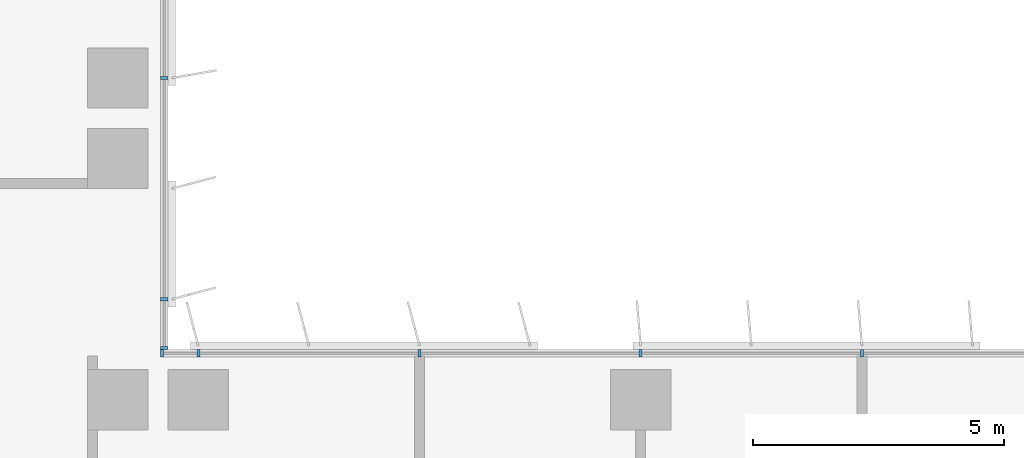
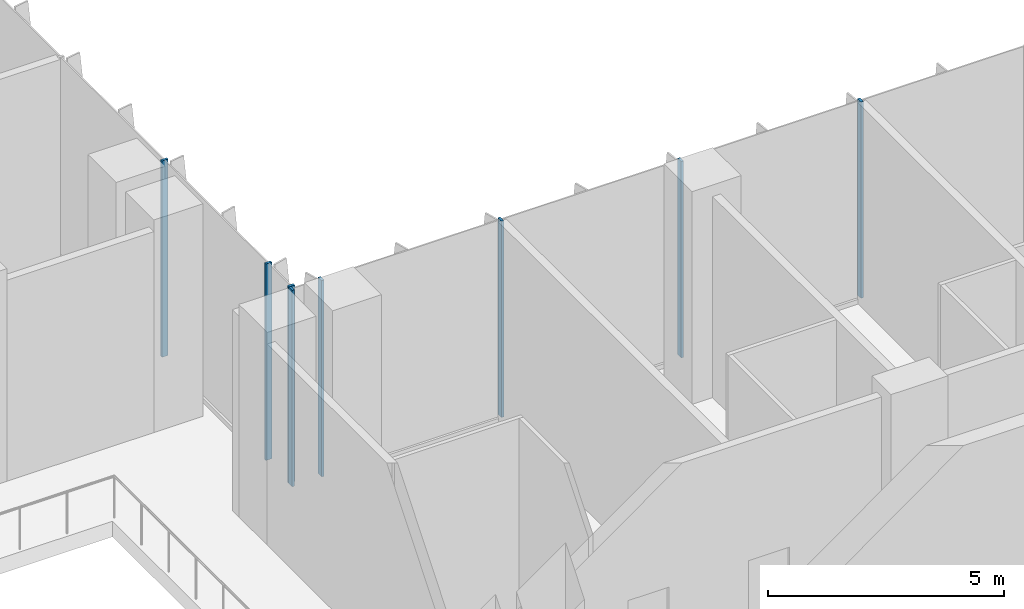
# One storey, part 2 of 26: 8 members, 2 elements without a shape of their own.
"""IFC4 building model written with IfcOpenShell, lengths in metres."""

from ifc_helpers import new_model, si_unit, direction, frame, origin, origin_2d, place, context, subcontext, project, spatial, rectangle, extrude, source, transform, mapped, material, material_profile, profile_set, type_object, element, aggregate, save


model = new_model("IFC4")

# Units and contexts
model_context = context("Model", 3, precision=1e-05, world=origin(), true_north=direction((0.0, 1.0)))
body_context = subcontext(model_context, "Body", "Model", "MODEL_VIEW")
ifc_project = project(units=[si_unit("LENGTHUNIT", "METRE"), si_unit("AREAUNIT", "SQUARE_METRE"), si_unit("VOLUMEUNIT", "CUBIC_METRE"), si_unit("PLANEANGLEUNIT", "RADIAN"), si_unit("MASSUNIT", "GRAM", prefix="KILO")], contexts=[model_context])

# Site, building, storey
site_placement = place(None, origin())
site = spatial("IfcSite", under=ifc_project, at=site_placement, CompositionType="ELEMENT")
building_placement = place(site_placement, origin())
building = spatial("IfcBuilding", under=site, at=building_placement, Name="Kemantara Hotel Tower", CompositionType="ELEMENT")
storey_placement = place(building_placement, frame((0.0, 0.0, 101.89990234375)))
storey = spatial("IfcBuildingStorey", under=building, at=storey_placement, Name="L24", CompositionType="ELEMENT", Elevation=101.89990234375)

# Curtain wall, members
ifc_material_1 = material(Name="Low-E tinted double insulated glass 36 mm", Category="glass")
curtain_wall_type = type_object("IfcCurtainWallType", Name="TOWER CURTAIN WALL, FRONT FACES", PredefinedType="USERDEFINED", material=ifc_material_1)
curtain_wall_1_placement = place(storey_placement, origin())
curtain_wall_1 = element("IfcCurtainWall", 1, at=curtain_wall_1_placement, inside=storey, type_object=curtain_wall_type, Name="CW4 L24 T2-R13-1", ObjectType="TOWER CURTAIN WALL, FRONT FACES", PredefinedType="USERDEFINED")
ifc_material_2 = material(Name="Aluminium 6063-T6 bronze anodised", Category="aluminium")
ifc_material_profile = material_profile(ifc_material_2, rectangle(XDim=0.14990234375, YDim=0.06005859375, at=origin_2d()), Name="TOWER CURTAIN WALL, FRONT FACES MULLION")
ifc_profile_set = profile_set([ifc_material_profile], Name="Aluminium 6063-T6 bronze anodised")
member_type = type_object("IfcMemberType", Name="TOWER CURTAIN WALL, FRONT FACES MULLION", PredefinedType="MULLION", material=ifc_profile_set)
shared_shape = source(origin(), body_context, "Body", "SweptSolid", [
    extrude(rectangle(XDim=0.14990234375, YDim=0.06005859375, at=origin_2d()), origin(), (0.0, 0.0, 1.0), 5.080078125),
])
member_1_placement = place(storey_placement, frame((40.60009765625, 21.925048828125, 0.1201171875), z_axis=(0.0, 0.0, 1.0), x_axis=(0.0, -1.0, 0.0)))
member_1 = element("IfcMember", 2, at=member_1_placement, type_object=member_type, Name="CW4 mullion T2-R13-1.6", PredefinedType="MULLION", context=body_context, shape_type="MappedRepresentation", body=[
    mapped(shared_shape, transform((0.0, 0.0, 0.0))),
])
member_2_placement = place(storey_placement, frame((36.199951171875, 21.925048828125, 0.1201171875), z_axis=(0.0, 0.0, 1.0), x_axis=(0.0, -1.0, 0.0)))
member_2 = element("IfcMember", 3, at=member_2_placement, type_object=member_type, Name="CW4 mullion T2-R13-1.7", PredefinedType="MULLION", context=body_context, shape_type="MappedRepresentation", body=[
    mapped(shared_shape, transform((0.0, 0.0, 0.0))),
])
member_3_placement = place(storey_placement, frame((31.800048828125, 21.925048828125, 0.1201171875), z_axis=(0.0, 0.0, 1.0), x_axis=(0.0, -1.0, 0.0)))
member_3 = element("IfcMember", 4, at=member_3_placement, type_object=member_type, Name="CW4 mullion T2-R13-1.8", PredefinedType="MULLION", context=body_context, shape_type="MappedRepresentation", body=[
    mapped(shared_shape, transform((0.0, 0.0, 0.0))),
])
member_4_placement = place(storey_placement, frame((27.39990234375, 21.925048828125, 0.1201171875), z_axis=(0.0, 0.0, 1.0), x_axis=(0.0, -1.0, 0.0)))
member_4 = element("IfcMember", 5, at=member_4_placement, type_object=member_type, Name="CW4 mullion T2-R13-1.9", PredefinedType="MULLION", context=body_context, shape_type="MappedRepresentation", body=[
    mapped(shared_shape, transform((0.0, 0.0, 0.0))),
])
member_5_placement = place(storey_placement, frame((26.679931640625, 21.925048828125, 0.1201171875), z_axis=(0.0, 0.0, 1.0), x_axis=(0.0, -1.0, 0.0)))
member_5 = element("IfcMember", 6, at=member_5_placement, type_object=member_type, Name="CW4 mullion T2-R13-1.10", PredefinedType="MULLION", context=body_context, shape_type="MappedRepresentation", body=[
    mapped(shared_shape, transform((0.0, 0.0, 0.0))),
])
aggregate(curtain_wall_1, [member_1, member_2, member_3, member_4, member_5])

curtain_wall_2_placement = place(storey_placement, origin())
curtain_wall_2 = element("IfcCurtainWall", 7, at=curtain_wall_2_placement, inside=storey, type_object=curtain_wall_type, Name="CW4 L24 T2-R14-1", ObjectType="TOWER CURTAIN WALL, FRONT FACES", PredefinedType="USERDEFINED")
member_6_placement = place(storey_placement, frame((26.72509765625, 22.030029296875, 0.1201171875), z_axis=(0.0, 0.0, 1.0), x_axis=(-1.0, 0.0, 0.0)))
member_6 = element("IfcMember", 8, at=member_6_placement, type_object=member_type, Name="CW4 mullion T2-R14-1.1", PredefinedType="MULLION", context=body_context, shape_type="MappedRepresentation", body=[
    mapped(shared_shape, transform((0.0, 0.0, 0.0))),
])
member_7_placement = place(storey_placement, frame((26.72509765625, 23.0, 0.1201171875), z_axis=(0.0, 0.0, 1.0), x_axis=(-1.0, 0.0, 0.0)))
member_7 = element("IfcMember", 9, at=member_7_placement, type_object=member_type, Name="CW4 mullion T2-R14-1.2", PredefinedType="MULLION", context=body_context, shape_type="MappedRepresentation", body=[
    mapped(shared_shape, transform((0.0, 0.0, 0.0))),
])
member_8_placement = place(storey_placement, frame((26.72509765625, 27.39990234375, 0.1201171875), z_axis=(0.0, 0.0, 1.0), x_axis=(-1.0, 0.0, 0.0)))
member_8 = element("IfcMember", 10, at=member_8_placement, type_object=member_type, Name="CW4 mullion T2-R14-1.3", PredefinedType="MULLION", context=body_context, shape_type="MappedRepresentation", body=[
    mapped(shared_shape, transform((0.0, 0.0, 0.0))),
])
aggregate(curtain_wall_2, [member_6, member_7, member_8])

save(model, "model.ifc")
